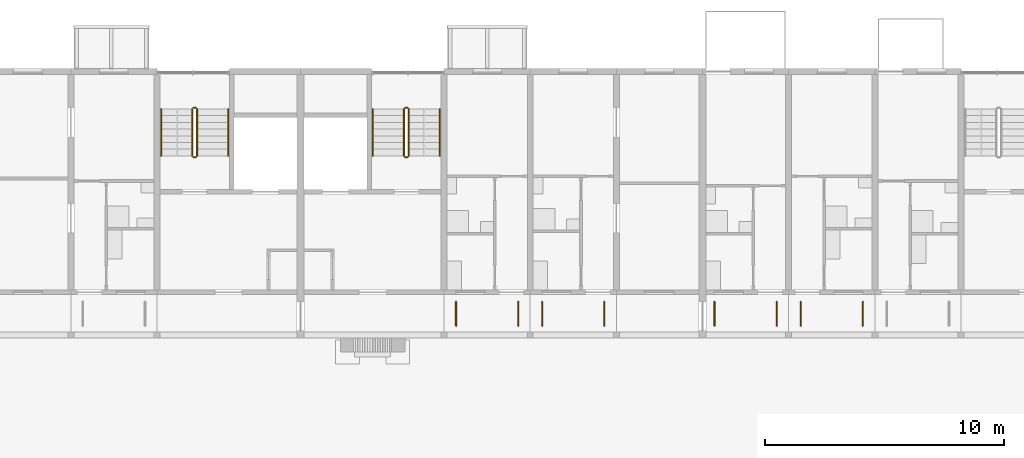
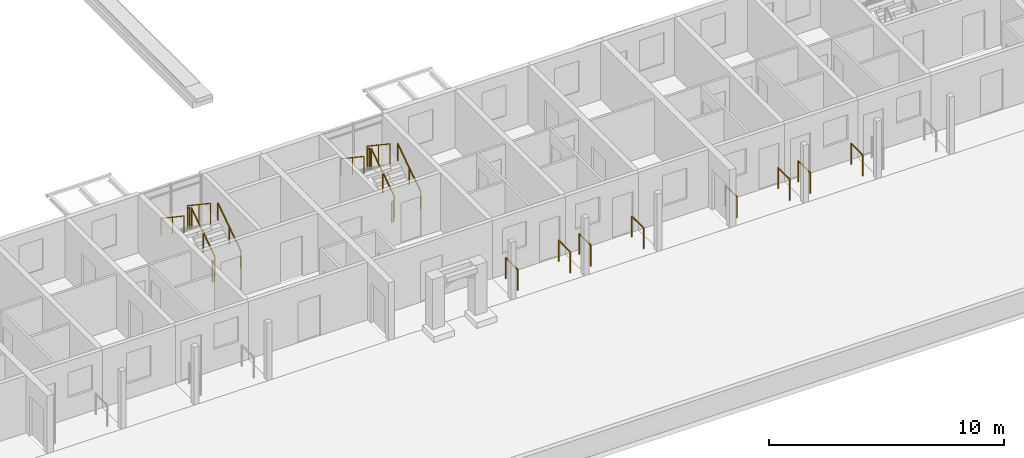
# One storey, part 94 of 115: 20 railings.
"""IFC4 building model written with IfcOpenShell, lengths in metres."""

from ifc_helpers import new_model, si_unit, direction, frame, origin, origin_2d, place, context, subcontext, project, spatial, circle, extrude, material, type_object, element, save


model = new_model("IFC4")

# Units and contexts
model_context = context("Model", 3, precision=1e-05, world=origin(), true_north=direction((0.0, 1.0)))
body_context = subcontext(model_context, "Body", "Model", "MODEL_VIEW")
ifc_project = project(units=[si_unit("LENGTHUNIT", "METRE"), si_unit("AREAUNIT", "SQUARE_METRE"), si_unit("VOLUMEUNIT", "CUBIC_METRE"), si_unit("PLANEANGLEUNIT", "RADIAN"), si_unit("MASSUNIT", "GRAM", prefix="KILO")], contexts=[model_context])

# Site, building, storey
site_placement = place(None, origin())
site = spatial("IfcSite", under=ifc_project, at=site_placement, CompositionType="ELEMENT")
building_placement = place(site_placement, origin())
building = spatial("IfcBuilding", under=site, at=building_placement, Name="Ridgestep Commons", CompositionType="ELEMENT")
storey_placement = place(building_placement, frame((0.0, 0.0, 6.0)))
storey = spatial("IfcBuildingStorey", under=building, at=storey_placement, Name="L02", CompositionType="ELEMENT", Elevation=6.0)

# Railings
ifc_material_1 = material(Name="Structural steel S355JR", Category="steel")
railing_type_1 = type_object("IfcRailingType", Name="Guard 1100", PredefinedType="GUARDRAIL", material=ifc_material_1)
for number, where, name in (
    (1, (52.10009765625, 12.25, 0.0), "Gallery side guard A 02.10W"),
    (2, (54.699951171875, 12.25, 0.0), "Gallery side guard A 02.10E"),
    (3, (55.699951171875, 12.25, 0.0), "Gallery side guard A 02.11W"),
    (4, (58.300048828125, 12.25, 0.0), "Gallery side guard A 02.11E"),
    (5, (62.89990234375, 12.25, 0.0), "Gallery side guard A 02.13W"),
    (6, (65.5, 12.25, 0.0), "Gallery side guard A 02.13E"),
    (7, (66.5, 12.25, 0.0), "Gallery side guard A 02.14W"),
    (8, (69.10009765625, 12.25, 0.0), "Gallery side guard A 02.14E"),
):
    element("IfcRailing", number, at=place(storey_placement, frame(where)), inside=storey, type_object=railing_type_1, Name=name, PredefinedType="GUARDRAIL", context=body_context, shape_type="SweptSolid", body=[
        extrude(circle(Radius=0.02392578125, at=origin_2d()), frame((0.0, 0.0, 1.076171875), z_axis=(0.0, 1.0, 0.0), x_axis=(-1.0, 0.0, 0.0)), (0.0, 0.0, 1.0), 1.0),
        extrude(circle(Radius=0.02099609375, at=origin_2d()), origin(), (0.0, 0.0, 1.0), 1.052001953125),
        extrude(circle(Radius=0.02099609375, at=origin_2d()), frame((0.0, 1.0, 0.0)), (0.0, 0.0, 1.0), 1.052001953125),
    ])
ifc_material_2 = material(Name="Structural steel S355JR", Category="steel")
railing_type_2 = type_object("IfcRailingType", Name="Stair guard 1100", PredefinedType="GUARDRAIL", material=ifc_material_2)
railing_1_placement = place(storey_placement, frame((41.27490234375, 19.35009765625, 0.1875)))
element("IfcRailing", 9, at=railing_1_placement, inside=storey, type_object=railing_type_2, Name="L02 A2C stair guard 1", PredefinedType="GUARDRAIL", context=body_context, shape_type="SweptSolid", body=[
    extrude(circle(Radius=0.02392578125, at=origin_2d()), frame((0.0, 0.0, 1.076171875), z_axis=(0.0, 0.830902050051, 0.556418712142), x_axis=(-1.0, 0.0, 0.0)), (0.0, 0.0, 1.0), 2.35888671875),
    extrude(circle(Radius=0.02099609375, at=origin_2d()), origin(), (0.0, 0.0, 1.0), 1.052001953125),
    extrude(circle(Radius=0.02099609375, at=origin_2d()), frame((0.0, 0.97998046875, 0.65625)), (0.0, 0.0, 1.0), 1.052001953125),
    extrude(circle(Radius=0.02099609375, at=origin_2d()), frame((0.0, 1.9599609375, 1.3125)), (0.0, 0.0, 1.0), 1.052001953125),
])
railing_2_placement = place(storey_placement, frame((41.22509765625, 21.360107421875, 1.5)))
element("IfcRailing", 10, at=railing_2_placement, inside=storey, type_object=railing_type_2, Name="L02 A2C stair guard 2", PredefinedType="GUARDRAIL", context=body_context, shape_type="SweptSolid", body=[
    extrude(circle(Radius=0.02392578125, at=origin_2d()), frame((0.0, 0.0, 1.076171875), z_axis=(-1.0, 0.0, 0.0), x_axis=(0.0, -1.0, 0.0)), (0.0, 0.0, 1.0), 0.10009765625),
    extrude(circle(Radius=0.02099609375, at=origin_2d()), origin(), (0.0, 0.0, 1.0), 1.052001953125),
    extrude(circle(Radius=0.02099609375, at=origin_2d()), frame((-0.10009765625, 0.0, 0.0)), (0.0, 0.0, 1.0), 1.052001953125),
])
railing_3_placement = place(storey_placement, frame((41.074951171875, 21.31005859375, 1.6875)))
element("IfcRailing", 11, at=railing_3_placement, inside=storey, type_object=railing_type_2, Name="L02 A2C stair guard 3", PredefinedType="GUARDRAIL", context=body_context, shape_type="SweptSolid", body=[
    extrude(circle(Radius=0.02392578125, at=origin_2d()), frame((0.0, 0.0, 1.076171875), z_axis=(0.0, -0.830902050051, 0.556418712142), x_axis=(1.0, 0.0, 0.0)), (0.0, 0.0, 1.0), 2.35888671875),
    extrude(circle(Radius=0.02099609375, at=origin_2d()), origin(), (0.0, 0.0, 1.0), 1.052001953125),
    extrude(circle(Radius=0.02099609375, at=origin_2d()), frame((0.0, -0.97998046875, 0.65625)), (0.0, 0.0, 1.0), 1.052001953125),
    extrude(circle(Radius=0.02099609375, at=origin_2d()), frame((0.0, -1.9599609375, 1.3125)), (0.0, 0.0, 1.0), 1.052001953125),
])
railing_4_placement = place(storey_placement, frame((41.22509765625, 19.300048828125, 0.0)))
element("IfcRailing", 12, at=railing_4_placement, inside=storey, type_object=railing_type_2, Name="L02 A2C stair guard 4", PredefinedType="GUARDRAIL", context=body_context, shape_type="SweptSolid", body=[
    extrude(circle(Radius=0.02392578125, at=origin_2d()), frame((0.0, 0.0, 1.076171875), z_axis=(-1.0, 0.0, 0.0), x_axis=(0.0, -1.0, 0.0)), (0.0, 0.0, 1.0), 0.10009765625),
    extrude(circle(Radius=0.02099609375, at=origin_2d()), origin(), (0.0, 0.0, 1.0), 1.052001953125),
    extrude(circle(Radius=0.02099609375, at=origin_2d()), frame((-0.10009765625, 0.0, 0.0)), (0.0, 0.0, 1.0), 1.052001953125),
])
railing_5_placement = place(storey_placement, frame((50.125, 19.35009765625, 0.1875)))
element("IfcRailing", 13, at=railing_5_placement, inside=storey, type_object=railing_type_2, Name="L02 A3C stair guard 1", PredefinedType="GUARDRAIL", context=body_context, shape_type="SweptSolid", body=[
    extrude(circle(Radius=0.02392578125, at=origin_2d()), frame((0.0, 0.0, 1.076171875), z_axis=(0.0, 0.830902050051, 0.556418712142), x_axis=(-1.0, 0.0, 0.0)), (0.0, 0.0, 1.0), 2.35888671875),
    extrude(circle(Radius=0.02099609375, at=origin_2d()), origin(), (0.0, 0.0, 1.0), 1.052001953125),
    extrude(circle(Radius=0.02099609375, at=origin_2d()), frame((0.0, 0.97998046875, 0.65625)), (0.0, 0.0, 1.0), 1.052001953125),
    extrude(circle(Radius=0.02099609375, at=origin_2d()), frame((0.0, 1.9599609375, 1.3125)), (0.0, 0.0, 1.0), 1.052001953125),
])
railing_6_placement = place(storey_placement, frame((50.074951171875, 21.360107421875, 1.5)))
element("IfcRailing", 14, at=railing_6_placement, inside=storey, type_object=railing_type_2, Name="L02 A3C stair guard 2", PredefinedType="GUARDRAIL", context=body_context, shape_type="SweptSolid", body=[
    extrude(circle(Radius=0.02392578125, at=origin_2d()), frame((0.0, 0.0, 1.076171875), z_axis=(-1.0, 0.0, 0.0), x_axis=(0.0, -1.0, 0.0)), (0.0, 0.0, 1.0), 0.099853515625),
    extrude(circle(Radius=0.02099609375, at=origin_2d()), origin(), (0.0, 0.0, 1.0), 1.052001953125),
    extrude(circle(Radius=0.02099609375, at=origin_2d()), frame((-0.099853515625, 0.0, 0.0)), (0.0, 0.0, 1.0), 1.052001953125),
])
railing_7_placement = place(storey_placement, frame((49.925048828125, 21.31005859375, 1.6875)))
element("IfcRailing", 15, at=railing_7_placement, inside=storey, type_object=railing_type_2, Name="L02 A3C stair guard 3", PredefinedType="GUARDRAIL", context=body_context, shape_type="SweptSolid", body=[
    extrude(circle(Radius=0.02392578125, at=origin_2d()), frame((0.0, 0.0, 1.076171875), z_axis=(0.0, -0.830902050051, 0.556418712142), x_axis=(1.0, 0.0, 0.0)), (0.0, 0.0, 1.0), 2.35888671875),
    extrude(circle(Radius=0.02099609375, at=origin_2d()), origin(), (0.0, 0.0, 1.0), 1.052001953125),
    extrude(circle(Radius=0.02099609375, at=origin_2d()), frame((0.0, -0.97998046875, 0.65625)), (0.0, 0.0, 1.0), 1.052001953125),
    extrude(circle(Radius=0.02099609375, at=origin_2d()), frame((0.0, -1.9599609375, 1.3125)), (0.0, 0.0, 1.0), 1.052001953125),
])
railing_8_placement = place(storey_placement, frame((50.074951171875, 19.300048828125, 0.0)))
element("IfcRailing", 16, at=railing_8_placement, inside=storey, type_object=railing_type_2, Name="L02 A3C stair guard 4", PredefinedType="GUARDRAIL", context=body_context, shape_type="SweptSolid", body=[
    extrude(circle(Radius=0.02392578125, at=origin_2d()), frame((0.0, 0.0, 1.076171875), z_axis=(-1.0, 0.0, 0.0), x_axis=(0.0, -1.0, 0.0)), (0.0, 0.0, 1.0), 0.099853515625),
    extrude(circle(Radius=0.02099609375, at=origin_2d()), origin(), (0.0, 0.0, 1.0), 1.052001953125),
    extrude(circle(Radius=0.02099609375, at=origin_2d()), frame((-0.099853515625, 0.0, 0.0)), (0.0, 0.0, 1.0), 1.052001953125),
])
ifc_material_3 = material(Name="Structural steel S355JR", Category="steel")
railing_type_3 = type_object("IfcRailingType", Name="Stair handrail 900", PredefinedType="HANDRAIL", material=ifc_material_3)
railing_9_placement = place(storey_placement, frame((42.574951171875, 19.35009765625, 0.1875)))
element("IfcRailing", 17, at=railing_9_placement, inside=storey, type_object=railing_type_3, Name="L02 A2C stair handrail 1", PredefinedType="HANDRAIL", context=body_context, shape_type="SweptSolid", body=[
    extrude(circle(Radius=0.02392578125, at=origin_2d()), frame((0.0, 0.0, 0.8759765625), z_axis=(0.0, 0.830902050051, 0.556418712142), x_axis=(-1.0, 0.0, 0.0)), (0.0, 0.0, 1.0), 2.35888671875),
    extrude(circle(Radius=0.02099609375, at=origin_2d()), origin(), (0.0, 0.0, 1.0), 0.851806640625),
    extrude(circle(Radius=0.02099609375, at=origin_2d()), frame((0.0, 0.97998046875, 0.65625)), (0.0, 0.0, 1.0), 0.851806640625),
    extrude(circle(Radius=0.02099609375, at=origin_2d()), frame((0.0, 1.9599609375, 1.3125)), (0.0, 0.0, 1.0), 0.851806640625),
])
railing_10_placement = place(storey_placement, frame((39.77490234375, 21.31005859375, 1.6875)))
element("IfcRailing", 18, at=railing_10_placement, inside=storey, type_object=railing_type_3, Name="L02 A2C stair handrail 2", PredefinedType="HANDRAIL", context=body_context, shape_type="SweptSolid", body=[
    extrude(circle(Radius=0.02392578125, at=origin_2d()), frame((0.0, 0.0, 0.8759765625), z_axis=(0.0, -0.830902050051, 0.556418712142), x_axis=(1.0, 0.0, 0.0)), (0.0, 0.0, 1.0), 2.35888671875),
    extrude(circle(Radius=0.02099609375, at=origin_2d()), origin(), (0.0, 0.0, 1.0), 0.851806640625),
    extrude(circle(Radius=0.02099609375, at=origin_2d()), frame((0.0, -0.97998046875, 0.65625)), (0.0, 0.0, 1.0), 0.851806640625),
    extrude(circle(Radius=0.02099609375, at=origin_2d()), frame((0.0, -1.9599609375, 1.3125)), (0.0, 0.0, 1.0), 0.851806640625),
])
railing_11_placement = place(storey_placement, frame((51.425048828125, 19.35009765625, 0.1875)))
element("IfcRailing", 19, at=railing_11_placement, inside=storey, type_object=railing_type_3, Name="L02 A3C stair handrail 1", PredefinedType="HANDRAIL", context=body_context, shape_type="SweptSolid", body=[
    extrude(circle(Radius=0.02392578125, at=origin_2d()), frame((0.0, 0.0, 0.8759765625), z_axis=(0.0, 0.830902050051, 0.556418712142), x_axis=(-1.0, 0.0, 0.0)), (0.0, 0.0, 1.0), 2.35888671875),
    extrude(circle(Radius=0.02099609375, at=origin_2d()), origin(), (0.0, 0.0, 1.0), 0.851806640625),
    extrude(circle(Radius=0.02099609375, at=origin_2d()), frame((0.0, 0.97998046875, 0.65625)), (0.0, 0.0, 1.0), 0.851806640625),
    extrude(circle(Radius=0.02099609375, at=origin_2d()), frame((0.0, 1.9599609375, 1.3125)), (0.0, 0.0, 1.0), 0.851806640625),
])
railing_12_placement = place(storey_placement, frame((48.625, 21.31005859375, 1.6875)))
element("IfcRailing", 20, at=railing_12_placement, inside=storey, type_object=railing_type_3, Name="L02 A3C stair handrail 2", PredefinedType="HANDRAIL", context=body_context, shape_type="SweptSolid", body=[
    extrude(circle(Radius=0.02392578125, at=origin_2d()), frame((0.0, 0.0, 0.8759765625), z_axis=(0.0, -0.830902050051, 0.556418712142), x_axis=(1.0, 0.0, 0.0)), (0.0, 0.0, 1.0), 2.35888671875),
    extrude(circle(Radius=0.02099609375, at=origin_2d()), origin(), (0.0, 0.0, 1.0), 0.851806640625),
    extrude(circle(Radius=0.02099609375, at=origin_2d()), frame((0.0, -0.97998046875, 0.65625)), (0.0, 0.0, 1.0), 0.851806640625),
    extrude(circle(Radius=0.02099609375, at=origin_2d()), frame((0.0, -1.9599609375, 1.3125)), (0.0, 0.0, 1.0), 0.851806640625),
])

save(model, "model.ifc")
